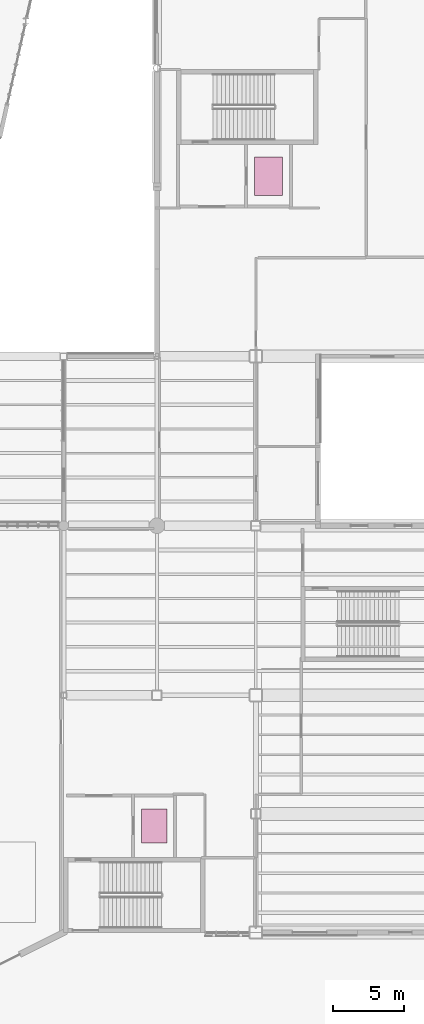
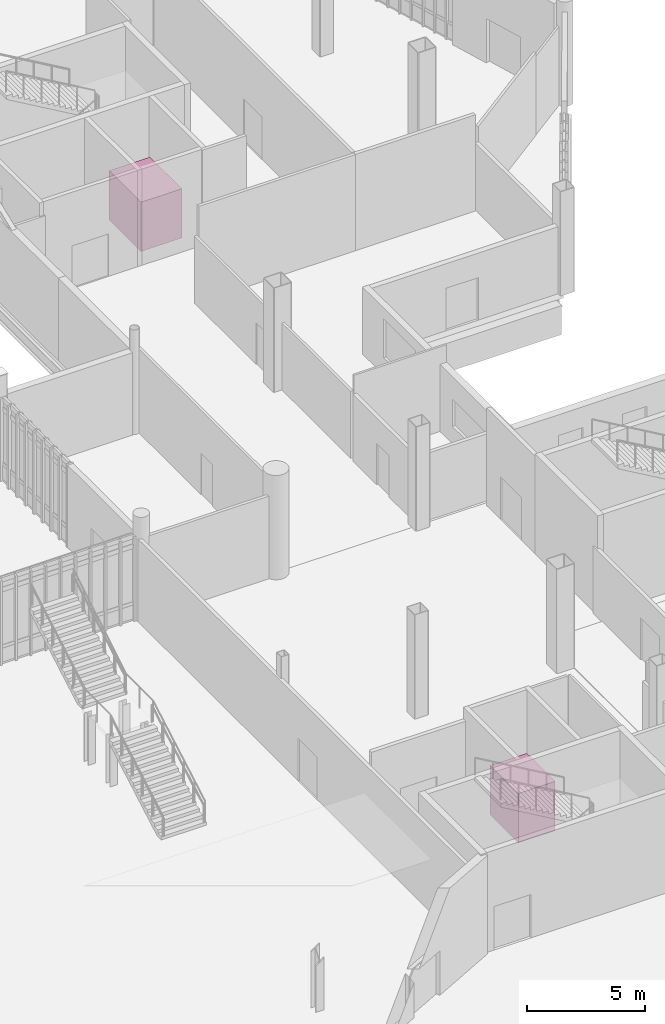
# One storey, part 111 of 111: 2 transport elements.
"""IFC4 building model written with IfcOpenShell, lengths in metres."""

from ifc_helpers import new_model, si_unit, direction, frame, origin, origin_2d, place, context, subcontext, project, spatial, rectangle, extrude, material, type_object, element, save


model = new_model("IFC4")

# Units and contexts
model_context = context("Model", 3, precision=1e-05, world=origin(), true_north=direction((0.0, 1.0)))
body_context = subcontext(model_context, "Body", "Model", "MODEL_VIEW")
ifc_project = project(units=[si_unit("LENGTHUNIT", "METRE"), si_unit("AREAUNIT", "SQUARE_METRE"), si_unit("VOLUMEUNIT", "CUBIC_METRE"), si_unit("PLANEANGLEUNIT", "RADIAN"), si_unit("MASSUNIT", "GRAM", prefix="KILO")], contexts=[model_context])

# Site, building, storey
site_placement = place(None, origin())
site = spatial("IfcSite", under=ifc_project, at=site_placement, CompositionType="ELEMENT")
building_placement = place(site_placement, origin())
building = spatial("IfcBuilding", under=site, at=building_placement, Name="Larkvane Passage Sports Hall", CompositionType="ELEMENT")
storey_placement = place(building_placement, origin())
storey = spatial("IfcBuildingStorey", under=building, at=storey_placement, Name="L00", CompositionType="ELEMENT", Elevation=0.0)

# Transport elements
ifc_material_1 = material(Name="Stainless steel S355JR lift car", Category="steel")
transport_element_type_1 = type_object("IfcTransportElementType", Name="LFT-FIRE-1600", PredefinedType="ELEVATOR", material=ifc_material_1)
transport_element_1_placement = place(storey_placement, frame((124.39990234375, 30.35009765625, 0.0), z_axis=(0.0, 0.0, 1.0), x_axis=(1.0, 0.0, 0.0)))
element("IfcTransportElement", 1, at=transport_element_1_placement, inside=storey, type_object=transport_element_type_1, Name="Lift FL-02", PredefinedType="ELEVATOR", context=body_context, shape_type="SweptSolid", body=[
    extrude(rectangle(XDim=1.800048828125, YDim=2.39990234375, at=origin_2d()), origin(), (0.0, 0.0, 1.0), 2.550048828125),
])
ifc_material_2 = material(Name="Heavy-duty steel S355JR goods lift car", Category="steel")
transport_element_type_2 = type_object("IfcTransportElementType", Name="LFT-GOODS-2500", PredefinedType="ELEVATOR", material=ifc_material_2)
transport_element_2_placement = place(storey_placement, frame((132.5, 76.35009765625, 0.0), z_axis=(0.0, 0.0, 1.0), x_axis=(1.0, 0.0, 0.0)))
element("IfcTransportElement", 2, at=transport_element_2_placement, inside=storey, type_object=transport_element_type_2, Name="Lift L-06", PredefinedType="ELEVATOR", context=body_context, shape_type="SweptSolid", body=[
    extrude(rectangle(XDim=2.0, YDim=2.699951171875, at=origin_2d()), origin(), (0.0, 0.0, 1.0), 2.550048828125),
])

save(model, "model.ifc")
